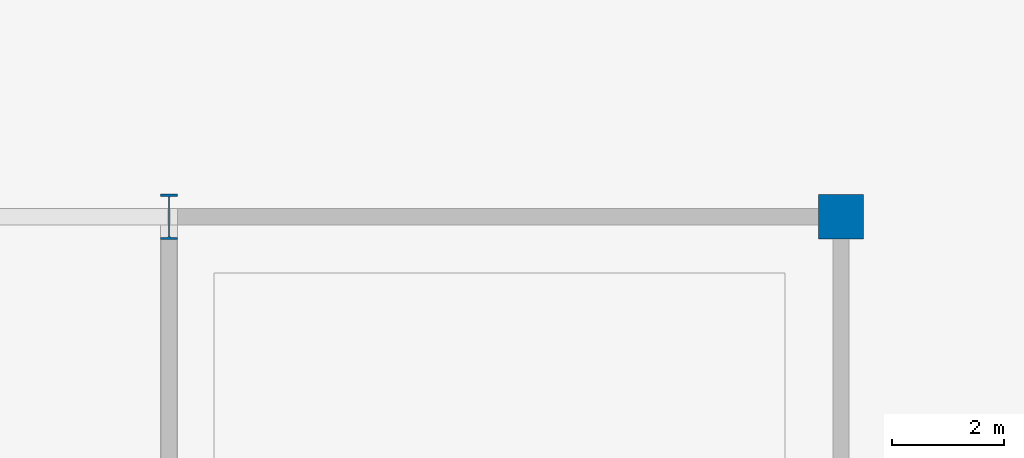
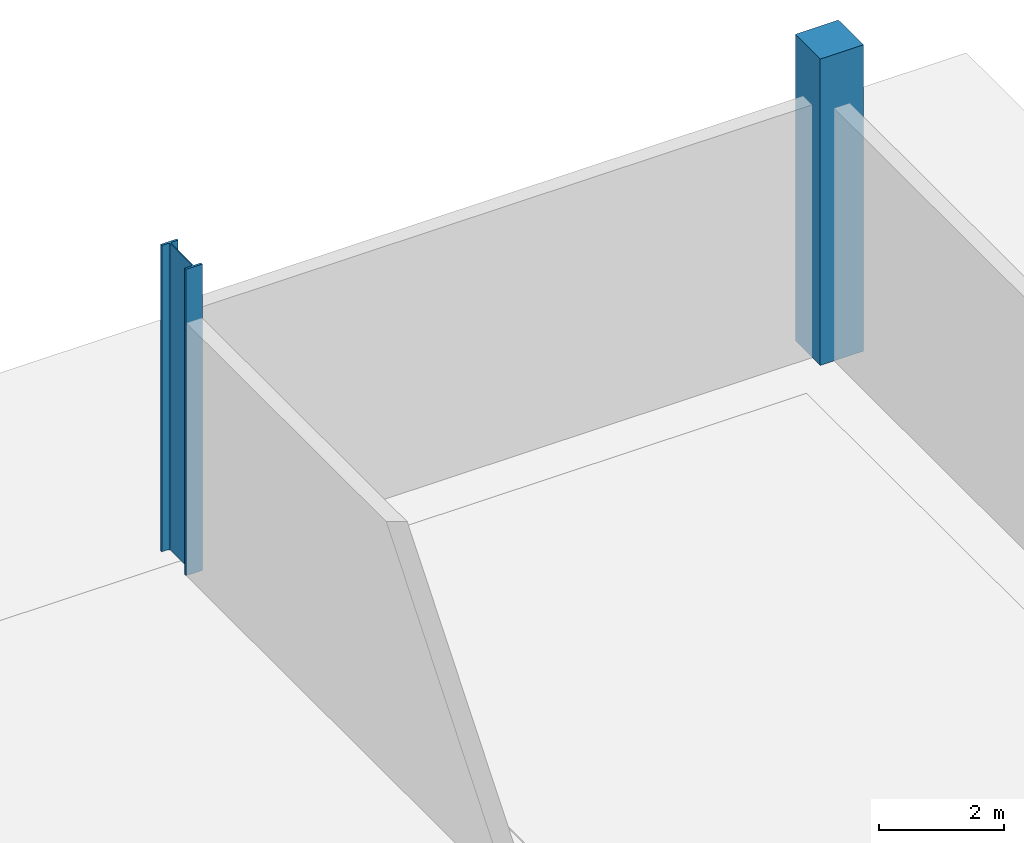
# One storey, part 17 of 58: 2 columns.
"""IFC4 building model written with IfcOpenShell, lengths in metres."""

from ifc_helpers import new_model, si_unit, direction, frame, origin, origin_2d, place, context, subcontext, project, spatial, rectangle, i_section, extrude, material, material_profile, profile_set, type_object, element, save


model = new_model("IFC4")

# Units and contexts
model_context = context("Model", 3, precision=1e-05, world=origin(), true_north=direction((0.0, 1.0)))
body_context = subcontext(model_context, "Body", "Model", "MODEL_VIEW")
ifc_project = project(units=[si_unit("LENGTHUNIT", "METRE"), si_unit("AREAUNIT", "SQUARE_METRE"), si_unit("VOLUMEUNIT", "CUBIC_METRE"), si_unit("PLANEANGLEUNIT", "RADIAN"), si_unit("MASSUNIT", "GRAM", prefix="KILO")], contexts=[model_context])

# Site, building, storey
site_placement = place(None, origin())
site = spatial("IfcSite", under=ifc_project, at=site_placement, CompositionType="ELEMENT")
building_placement = place(site_placement, origin())
building = spatial("IfcBuilding", under=site, at=building_placement, Name="Barlavento Convention Centre", CompositionType="ELEMENT")
storey_placement = place(building_placement, origin())
storey = spatial("IfcBuildingStorey", under=building, at=storey_placement, Name="L00", CompositionType="ELEMENT", Elevation=0.0)

# Columns
ifc_material_1 = material(Name="Steel S460", Category="steel")
ifc_material_profile_1 = material_profile(ifc_material_1, i_section(OverallWidth=0.302978515625, OverallDepth=0.81396484375, WebThickness=0.02099609375, FlangeThickness=0.0400390625, FilletRadius=0.030029296875, at=origin_2d()), Name="HEM 800")
ifc_profile_set_1 = profile_set([ifc_material_profile_1], Name="Steel S460")
column_type_1 = type_object("IfcColumnType", Name="STR-COL-HEM800", PredefinedType="COLUMN", material=ifc_profile_set_1)
column_1_placement = place(storey_placement, frame((180.0, 135.0, 0.0), z_axis=(0.0, 0.0, 1.0), x_axis=(1.0, 0.0, 0.0)))
element("IfcColumn", 1, at=column_1_placement, inside=storey, type_object=column_type_1, Name="L00 column SC02", PredefinedType="COLUMN", context=body_context, shape_type="SweptSolid", body=[
    extrude(i_section(OverallWidth=0.302978515625, OverallDepth=0.81396484375, WebThickness=0.02099609375, FlangeThickness=0.0400390625, FilletRadius=0.030029296875, at=origin_2d()), origin(), (0.0, 0.0, 1.0), 6.0),
])
ifc_material_2 = material(Name="Concrete C40/50", Category="concrete")
ifc_material_profile_2 = material_profile(ifc_material_2, rectangle(XDim=0.800048828125, YDim=0.800048828125, at=origin_2d()), Name="RC 800x800")
ifc_profile_set_2 = profile_set([ifc_material_profile_2], Name="Concrete C40/50")
column_type_2 = type_object("IfcColumnType", Name="STR-COL-RC800", PredefinedType="COLUMN", material=ifc_profile_set_2)
column_2_placement = place(storey_placement, frame((192.0, 135.0, 0.0), z_axis=(0.0, 0.0, 1.0), x_axis=(1.0, 0.0, 0.0)))
element("IfcColumn", 2, at=column_2_placement, inside=storey, type_object=column_type_2, Name="L00 column CC05", PredefinedType="COLUMN", context=body_context, shape_type="SweptSolid", body=[
    extrude(rectangle(XDim=0.800048828125, YDim=0.800048828125, at=origin_2d()), origin(), (0.0, 0.0, 1.0), 6.0),
])

save(model, "model.ifc")
